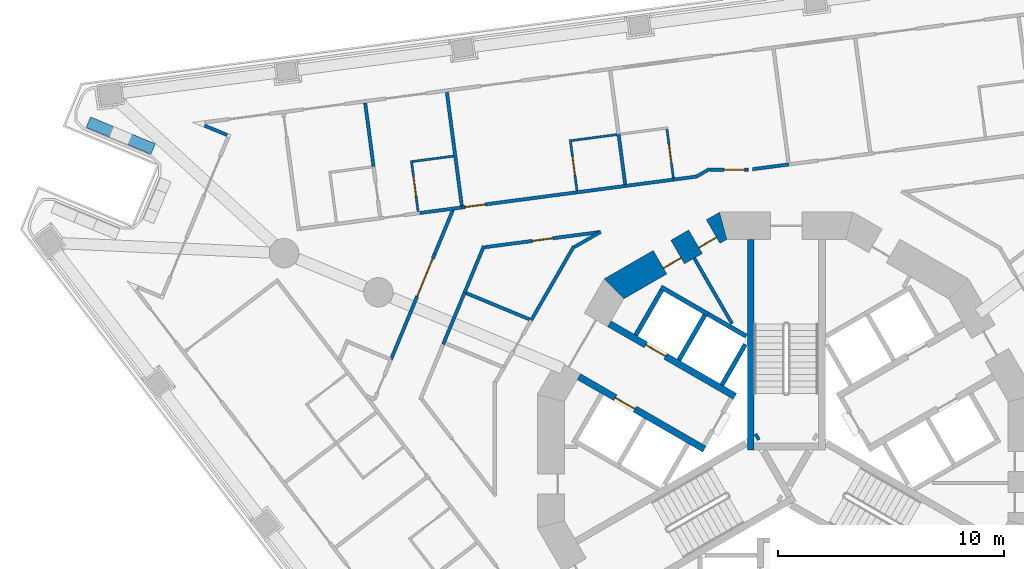
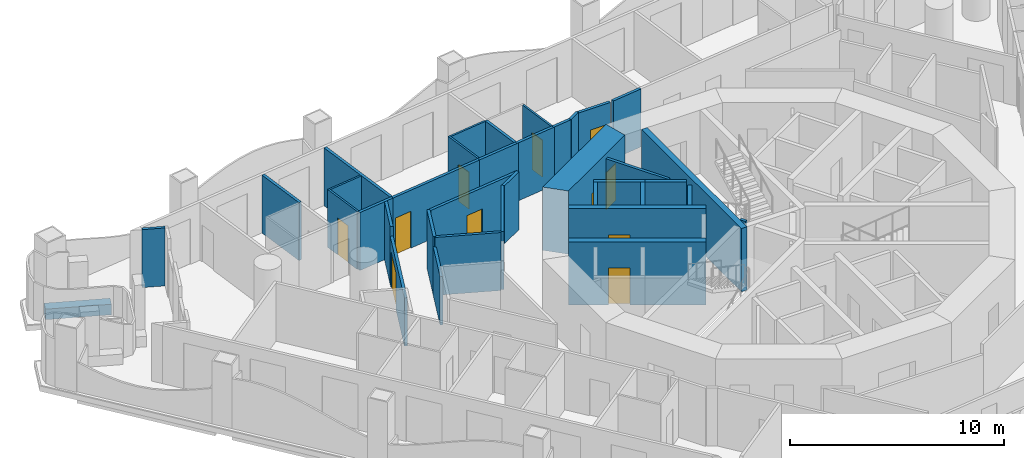
# One storey, part 7 of 19: 37 walls, 11 doors, 11 openings.
"""IFC4 building model written with IfcOpenShell, lengths in metres."""

from ifc_helpers import new_model, si_unit, direction, frame, frame_2d, origin, place, context, subcontext, project, spatial, polyline, rectangle, outline, extrude, material, layer, layer_set, type_object, element, fill, save


model = new_model("IFC4")

# Units and contexts
model_context = context("Model", 3, precision=1e-05, world=origin(), true_north=direction((0.0, 1.0)))
body_context = subcontext(model_context, "Body", "Model", "MODEL_VIEW")
ifc_project = project(units=[si_unit("LENGTHUNIT", "METRE"), si_unit("AREAUNIT", "SQUARE_METRE"), si_unit("VOLUMEUNIT", "CUBIC_METRE"), si_unit("PLANEANGLEUNIT", "RADIAN"), si_unit("MASSUNIT", "GRAM", prefix="KILO")], contexts=[model_context])

# Site, building, storey
site_placement = place(None, origin())
site = spatial("IfcSite", under=ifc_project, at=site_placement, CompositionType="ELEMENT")
building_placement = place(site_placement, origin())
building = spatial("IfcBuilding", under=site, at=building_placement, Name="Trine Commons Tower", CompositionType="ELEMENT")
storey_placement = place(building_placement, frame((0.0, 0.0, 68.39990234375)))
storey = spatial("IfcBuildingStorey", under=building, at=storey_placement, Name="L16", CompositionType="ELEMENT", Elevation=68.39990234375)

# Walls
ifc_material_1 = material(Name="Plasterboard partition on steel studs", Category="steel")
ifc_layer_1 = layer(ifc_material_1, 0.14990234375)
ifc_layer_set_1 = layer_set([ifc_layer_1], Name="Plasterboard partition on steel studs")
wall_type_1 = type_object("IfcWallType", Name="Core room partition 150 mm, EI 60", PredefinedType="PARTITIONING", material=ifc_layer_set_1)
wall_1_placement = place(storey_placement, frame((75.928955078125, 71.47900390625, 0.0), z_axis=(0.0, 0.0, 1.0), x_axis=(0.499985139611, -0.866033983264, 0.0)))
element("IfcWall", 1, at=wall_1_placement, inside=storey, type_object=wall_type_1, Name="Core room partition L16", PredefinedType="PARTITIONING", context=body_context, shape_type="SweptSolid", body=[
    extrude(rectangle(XDim=3.35205078125, YDim=0.14990234375, at=frame_2d((1.676025390625, 0.0))), origin(), (0.0, 0.0, 1.0), 3.300048828125),
])
ifc_material_2 = material(Name="Aluminium-framed insulated wall panel", Category="aluminium")
ifc_layer_2 = layer(ifc_material_2, 0.14990234375)
ifc_layer_set_2 = layer_set([ifc_layer_2], Name="Aluminium-framed insulated wall panel")
wall_type_2 = type_object("IfcWallType", Name="Glazed frame wall 150, EI 60", PredefinedType="SOLIDWALL", material=ifc_layer_set_2)
wall_2_placement = place(storey_placement, frame((55.376220703125, 76.883056640625, 0.0), z_axis=(0.0, 0.0, 1.0), x_axis=(-0.923901801611, 0.382629665579, 0.0)))
element("IfcWall", 2, at=wall_2_placement, inside=storey, type_object=wall_type_2, Name="Glazed frame wall R3", PredefinedType="SOLIDWALL", context=body_context, shape_type="SweptSolid", body=[
    extrude(outline(polyline([(0.110107421875, 0.074951171875), (0.110107421875, -0.074951171875), (1.19580078125, -0.074951171875), (1.19580078125, 0.074951171875), (0.110107421875, 0.074951171875)])), origin(), (0.0, 0.0, 1.0), 3.300048828125),
])
ifc_material_3 = material(Name="Planter trough, precast concrete C40/50", Category="concrete")
ifc_layer_3 = layer(ifc_material_3, 0.5)
ifc_layer_set_3 = layer_set([ifc_layer_3], Name="Planter trough, precast concrete C40/50")
wall_type_3 = type_object("IfcWallType", Name="Planter trough 500x600", PredefinedType="PARAPET", material=ifc_layer_set_3)
wall_3_placement = place(storey_placement, frame((51.99853515625, 76.306640625, 0.0), z_axis=(0.0, 0.0, 1.0), x_axis=(-0.923883411188, 0.382674068277, 0.0)))
element("IfcWall", 3, at=wall_3_placement, inside=storey, type_object=wall_type_3, Name="Planter 3", PredefinedType="PARAPET", context=body_context, shape_type="SweptSolid", body=[
    extrude(rectangle(XDim=3.099853515625, YDim=0.5, at=frame_2d((1.5498046875, 0.0))), origin(), (0.0, 0.0, 1.0), 0.60009765625),
])

# Wall, openings, doors
ifc_material_4 = material(Name="Concrete C80/95", Category="concrete")
ifc_layer_4 = layer(ifc_material_4, 1.199951171875)
ifc_layer_set_4 = layer_set([ifc_layer_4], Name="Concrete C80/95")
wall_type_4 = type_object("IfcWallType", Name="RC shear wall 1200 mm, C80/95", PredefinedType="SHEAR", material=ifc_layer_set_4)
wall_4_placement = place(storey_placement, frame((77.349609375, 72.991943359375, 0.0), z_axis=(0.0, 0.0, 1.0), x_axis=(-0.866037463336, -0.499979111662, 0.0)))
wall_4 = element("IfcWall", 4, at=wall_4_placement, inside=storey, type_object=wall_type_4, Name="Core wall CWB-05 L16", PredefinedType="SHEAR", context=body_context, shape_type="SweptSolid", body=[
    extrude(outline(polyline([(0.0, -0.60009765625), (5.901123046875, -0.60009765625), (5.57958984375, 0.60009765625), (0.321533203125, 0.60009765625), (0.0, -0.60009765625)])), origin(), (0.0, 0.0, 1.0), 3.60009765625),
])
opening_1_placement = place(wall_4_placement, frame((0.6748046875, 0.0, 0.0)))
opening_1 = element("IfcOpeningElement", 5, at=opening_1_placement, cuts=wall_4, Name="Opening K07.12", PredefinedType="OPENING", context=body_context, shape_type="SweptSolid", body=[
    extrude(rectangle(XDim=0.89990234375, YDim=2.10009765625, at=frame_2d((0.449951171875, 1.050048828125))), frame((0.0, 0.60986328125, 0.0), z_axis=(0.0, -1.0, 0.0), x_axis=(1.0, 0.0, 0.0)), (0.0, 0.0, 1.0), 1.219970703125),
])
opening_2_placement = place(wall_4_placement, frame((2.48681640625, 0.0, 0.0)))
opening_2 = element("IfcOpeningElement", 6, at=opening_2_placement, cuts=wall_4, Name="Opening K07.13", PredefinedType="OPENING", context=body_context, shape_type="SweptSolid", body=[
    extrude(rectangle(XDim=0.89990234375, YDim=2.10009765625, at=frame_2d((0.449951171875, 1.050048828125))), frame((0.0, 0.60986328125, 0.0), z_axis=(0.0, -1.0, 0.0), x_axis=(1.0, 0.0, 0.0)), (0.0, 0.0, 1.0), 1.219970703125),
])
ifc_material_5 = material(Name="Steel door leaf, fire-rated", Category="steel")
door_type_1 = type_object("IfcDoorType", Name="Core room door, single leaf 900 x 2100, FD30S", OperationType="SINGLE_SWING_LEFT", PredefinedType="DOOR", material=ifc_material_5)
door_1_placement = place(opening_1_placement, origin())
door_1 = element("IfcDoor", 7, at=door_1_placement, inside=storey, type_object=door_type_1, Name="Door to Pantry L16", OperationType="SINGLE_SWING_LEFT", OverallHeight=2.10009765625, OverallWidth=0.89990234375, PredefinedType="DOOR", context=body_context, shape_type="SweptSolid", body=[
    extrude(rectangle(XDim=0.89990234375, YDim=2.10009765625, at=frame_2d((0.449951171875, 1.050048828125))), frame((0.0, 0.3251953125, 0.0), z_axis=(0.0, -1.0, 0.0), x_axis=(1.0, 0.0, 0.0)), (0.0, 0.0, 1.0), 0.050048828125),
])
fill(opening_1, door_1)
door_2_placement = place(opening_2_placement, origin())
door_2 = element("IfcDoor", 8, at=door_2_placement, inside=storey, type_object=door_type_1, Name="Door to Comms room L16", OperationType="SINGLE_SWING_LEFT", OverallHeight=2.10009765625, OverallWidth=0.89990234375, PredefinedType="DOOR", context=body_context, shape_type="SweptSolid", body=[
    extrude(rectangle(XDim=0.89990234375, YDim=2.10009765625, at=frame_2d((0.449951171875, 1.050048828125))), frame((0.0, 0.3251953125, 0.0), z_axis=(0.0, -1.0, 0.0), x_axis=(1.0, 0.0, 0.0)), (0.0, 0.0, 1.0), 0.050048828125),
])
fill(opening_2, door_2)

# Wall, opening, door
ifc_layer_5 = layer(ifc_material_4, 0.300048828125)
ifc_layer_set_5 = layer_set([ifc_layer_5], Name="Concrete C80/95")
wall_type_5 = type_object("IfcWallType", Name="RC shear wall 300 mm, C80/95", PredefinedType="SHEAR", material=ifc_layer_set_5)
wall_5_placement = place(storey_placement, frame((76.381103515625, 63.031005859375, 0.0), z_axis=(0.0, 0.0, 1.0), x_axis=(-0.866032150378, 0.499988314375, 0.0)))
wall_5 = element("IfcWall", 9, at=wall_5_placement, inside=storey, type_object=wall_type_5, Name="Core cross wall SWA-01 L16", PredefinedType="SHEAR", context=body_context, shape_type="SweptSolid", body=[
    extrude(rectangle(XDim=6.412353515625, YDim=0.300048828125, at=frame_2d((3.2060546875, 0.0))), origin(), (0.0, 0.0, 1.0), 3.60009765625),
])
opening_3_placement = place(wall_5_placement, frame((3.55029296875, 0.0, 0.0)))
opening_3 = element("IfcOpeningElement", 10, at=opening_3_placement, cuts=wall_5, Name="Opening LD3", PredefinedType="OPENING", context=body_context, shape_type="SweptSolid", body=[
    extrude(rectangle(XDim=1.0, YDim=2.10009765625, at=frame_2d((0.5, 1.050048828125))), frame((0.0, 0.159912109375, 0.0), z_axis=(0.0, -1.0, 0.0), x_axis=(1.0, 0.0, 0.0)), (0.0, 0.0, 1.0), 0.320068359375),
])
ifc_material_6 = material(Name="Stainless steel sliding door leaves", Category="steel")
door_type_2 = type_object("IfcDoorType", Name="Lift landing door, centre-opening sliding 1000 x 2100, FD90", OperationType="DOUBLE_DOOR_SLIDING", PredefinedType="DOOR", material=ifc_material_6)
door_3_placement = place(opening_3_placement, origin())
door_3 = element("IfcDoor", 11, at=door_3_placement, inside=storey, type_object=door_type_2, Name="Lift landing door LR3 L16", OperationType="DOUBLE_DOOR_SLIDING", OverallHeight=2.10009765625, OverallWidth=1.0, PredefinedType="DOOR", context=body_context, shape_type="SweptSolid", body=[
    extrude(rectangle(XDim=1.0, YDim=2.10009765625, at=frame_2d((0.5, 1.050048828125))), frame((0.0, 0.02490234375, 0.0), z_axis=(0.0, -1.0, 0.0), x_axis=(1.0, 0.0, 0.0)), (0.0, 0.0, 1.0), 0.050048828125),
])
fill(opening_3, door_3)

wall_6_placement = place(storey_placement, frame((77.73095703125, 65.368896484375, 0.0), z_axis=(0.0, 0.0, 1.0), x_axis=(-0.866022631842, 0.500004801114, 0.0)))
wall_6 = element("IfcWall", 12, at=wall_6_placement, inside=storey, type_object=wall_type_5, Name="Core cross wall SWA-02 L16", PredefinedType="SHEAR", context=body_context, shape_type="SweptSolid", body=[
    extrude(rectangle(XDim=6.412109375, YDim=0.300048828125, at=frame_2d((3.2060546875, 0.0))), origin(), (0.0, 0.0, 1.0), 3.60009765625),
])
opening_4_placement = place(wall_6_placement, frame((3.55029296875, 0.0, 0.0)))
opening_4 = element("IfcOpeningElement", 13, at=opening_4_placement, cuts=wall_6, Name="Opening LD4", PredefinedType="OPENING", context=body_context, shape_type="SweptSolid", body=[
    extrude(rectangle(XDim=1.0, YDim=2.10009765625, at=frame_2d((0.5, 1.050048828125))), frame((0.0, 0.159912109375, 0.0), z_axis=(0.0, -1.0, 0.0), x_axis=(1.0, 0.0, 0.0)), (0.0, 0.0, 1.0), 0.320068359375),
])
door_4_placement = place(opening_4_placement, origin())
door_4 = element("IfcDoor", 14, at=door_4_placement, inside=storey, type_object=door_type_2, Name="Lift landing door LR4 L16", OperationType="DOUBLE_DOOR_SLIDING", OverallHeight=2.10009765625, OverallWidth=1.0, PredefinedType="DOOR", context=body_context, shape_type="SweptSolid", body=[
    extrude(rectangle(XDim=1.0, YDim=2.10009765625, at=frame_2d((0.5, 1.050048828125))), frame((0.0, 0.02490234375, 0.0), z_axis=(0.0, -1.0, 0.0), x_axis=(1.0, 0.0, 0.0)), (0.0, 0.0, 1.0), 0.050048828125),
])
fill(opening_4, door_4)

# Walls
wall_7_placement = place(storey_placement, frame((78.425048828125, 63.0009765625, 0.0), z_axis=(0.0, 0.0, 1.0), x_axis=(0.0, 1.0, 0.0)))
element("IfcWall", 15, at=wall_7_placement, inside=storey, type_object=wall_type_5, Name="Core cross wall SWA-08 L16", PredefinedType="SHEAR", context=body_context, shape_type="SweptSolid", body=[
    extrude(rectangle(XDim=9.31103515625, YDim=0.300048828125, at=frame_2d((4.655517578125, 0.0))), origin(), (0.0, 0.0, 1.0), 3.60009765625),
])
wall_8_placement = place(storey_placement, frame((78.779052734375, 63.614013671875, 0.0), z_axis=(0.0, 0.0, 1.0), x_axis=(-0.867737973955, -0.497021939713, 0.0)))
element("IfcWall", 16, at=wall_8_placement, inside=storey, type_object=wall_type_5, Name="Core cross wall SWA-09 L16", PredefinedType="SHEAR", context=body_context, shape_type="SweptSolid", body=[
    extrude(rectangle(XDim=0.14892578125, YDim=0.300048828125, at=frame_2d((0.074462890625, 0.0))), origin(), (0.0, 0.0, 1.0), 3.60009765625),
])
ifc_material_7 = material(Name="Fire-rated gypsum shaft wall system")
ifc_layer_6 = layer(ifc_material_7, 0.199951171875)
ifc_layer_set_6 = layer_set([ifc_layer_6], Name="Fire-rated gypsum shaft wall system")
wall_type_6 = type_object("IfcWallType", Name="Shaft wall 200 mm, EI 120", PredefinedType="PARTITIONING", material=ifc_layer_set_6)
wall_9_placement = place(storey_placement, frame((73.344970703125, 68.073974609375, 0.0), z_axis=(0.0, 0.0, 1.0), x_axis=(0.500215680983, 0.865900844496, 0.0)))
element("IfcWall", 17, at=wall_9_placement, inside=storey, type_object=wall_type_6, Name="Shaft wall L16", PredefinedType="PARTITIONING", context=body_context, shape_type="SweptSolid", body=[
    extrude(rectangle(XDim=2.29931640625, YDim=0.199951171875, at=frame_2d((1.149658203125, 0.0))), origin(), (0.0, 0.0, 1.0), 3.300048828125),
])
wall_10_placement = place(storey_placement, frame((75.2509765625, 66.97412109375, 0.0), z_axis=(0.0, 0.0, 1.0), x_axis=(0.500136062276, 0.86594683394, 0.0)))
element("IfcWall", 18, at=wall_10_placement, inside=storey, type_object=wall_type_6, Name="Shaft wall L16", PredefinedType="PARTITIONING", context=body_context, shape_type="SweptSolid", body=[
    extrude(rectangle(XDim=2.299072265625, YDim=0.199951171875, at=frame_2d((1.1494140625, 0.0))), origin(), (0.0, 0.0, 1.0), 3.300048828125),
])
wall_11_placement = place(storey_placement, frame((76.5380859375, 69.001953125, 0.0), z_axis=(0.0, 0.0, 1.0), x_axis=(-0.866202511239, 0.499693115345, 0.0)))
element("IfcWall", 19, at=wall_11_placement, inside=storey, type_object=wall_type_6, Name="Shaft wall L16", PredefinedType="PARTITIONING", context=body_context, shape_type="SweptSolid", body=[
    extrude(rectangle(XDim=2.4013671875, YDim=0.199951171875, at=frame_2d((1.20068359375, 0.0))), origin(), (0.0, 0.0, 1.0), 3.300048828125),
])
wall_12_placement = place(storey_placement, frame((77.156005859375, 65.8740234375, 0.0), z_axis=(0.0, 0.0, 1.0), x_axis=(0.499865770674, 0.866102887253, 0.0)))
element("IfcWall", 20, at=wall_12_placement, inside=storey, type_object=wall_type_6, Name="Shaft wall L16", PredefinedType="PARTITIONING", context=body_context, shape_type="SweptSolid", body=[
    extrude(rectangle(XDim=2.064453125, YDim=0.199951171875, at=frame_2d((1.0322265625, 0.0))), origin(), (0.0, 0.0, 1.0), 3.300048828125),
])
wall_13_placement = place(storey_placement, frame((78.22509765625, 68.028076171875, 0.0), z_axis=(0.0, 0.0, 1.0), x_axis=(-0.866052014814, 0.499953905513, 0.0)))
element("IfcWall", 21, at=wall_13_placement, inside=storey, type_object=wall_type_6, Name="Shaft wall L16", PredefinedType="PARTITIONING", context=body_context, shape_type="SweptSolid", body=[
    extrude(rectangle(XDim=1.947998046875, YDim=0.199951171875, at=frame_2d((0.97412109375, 0.0))), origin(), (0.0, 0.0, 1.0), 3.300048828125),
])
ifc_material_8 = material(Name="Gypsum plasterboard on steel stud", Category="steel")
ifc_layer_7 = layer(ifc_material_8, 0.14990234375)
ifc_layer_set_7 = layer_set([ifc_layer_7], Name="Gypsum plasterboard on steel stud")
wall_type_7 = type_object("IfcWallType", Name="Unit and corridor wall 150 mm, EI 60", PredefinedType="PARTITIONING", material=ifc_layer_set_7)
wall_14_placement = place(storey_placement, frame((61.377197265625, 78.34130859375, 0.0), z_axis=(0.0, 0.0, 1.0), x_axis=(0.130648074846, -0.9914288076, 0.0)))
element("IfcWall", 22, at=wall_14_placement, inside=storey, type_object=wall_type_7, Name="Partition 016", PredefinedType="PARTITIONING", context=body_context, shape_type="SweptSolid", body=[
    extrude(rectangle(XDim=2.838623046875, YDim=0.14990234375, at=frame_2d((1.41943359375, 0.0))), origin(), (0.0, 0.0, 1.0), 3.300048828125),
])

# Wall, opening, door
wall_15_placement = place(storey_placement, frame((62.52197265625, 67.007080078125, 0.0), z_axis=(0.0, 0.0, 1.0), x_axis=(0.382650715136, 0.923893083753, 0.0)))
wall_15 = element("IfcWall", 23, at=wall_15_placement, inside=storey, type_object=wall_type_7, Name="Partition 022", PredefinedType="PARTITIONING", context=body_context, shape_type="SweptSolid", body=[
    extrude(rectangle(XDim=5.04931640625, YDim=0.14990234375, at=frame_2d((2.524658203125, 0.0))), origin(), (0.0, 0.0, 1.0), 2.75),
])
opening_5_placement = place(wall_15_placement, frame((3.014404296875, 0.0, 0.0)))
opening_5 = element("IfcOpeningElement", 24, at=opening_5_placement, cuts=wall_15, Name="Opening D-2B03", PredefinedType="OPENING", context=body_context, shape_type="SweptSolid", body=[
    extrude(rectangle(XDim=1.800048828125, YDim=2.10009765625, at=frame_2d((0.89990234375, 1.050048828125))), frame((0.0, 0.0849609375, 0.0), z_axis=(0.0, -1.0, 0.0), x_axis=(1.0, 0.0, 0.0)), (0.0, 0.0, 1.0), 0.169921875),
])
ifc_material_9 = material(Name="Timber fire door set", Category="wood")
door_type_3 = type_object("IfcDoorType", Name="Cluster entrance door 1800 x 2100, double leaf, FD30S", OperationType="DOUBLE_DOOR_DOUBLE_SWING", PredefinedType="DOOR", material=ifc_material_9)
door_5_placement = place(opening_5_placement, origin())
door_5 = element("IfcDoor", 25, at=door_5_placement, inside=storey, type_object=door_type_3, Name="Door D-2B03", OperationType="DOUBLE_DOOR_DOUBLE_SWING", OverallHeight=2.10009765625, OverallWidth=1.800048828125, PredefinedType="DOOR", context=body_context, shape_type="SweptSolid", body=[
    extrude(rectangle(XDim=1.800048828125, YDim=2.10009765625, at=frame_2d((0.89990234375, 1.050048828125))), frame((0.0, 0.02490234375, 0.0), z_axis=(0.0, -1.0, 0.0), x_axis=(1.0, 0.0, 0.0)), (0.0, 0.0, 1.0), 0.050048828125),
])
fill(opening_5, door_5)

# Walls
wall_16_placement = place(storey_placement, frame((63.722900390625, 73.467041015625, 0.0), z_axis=(0.0, 0.0, 1.0), x_axis=(0.991489487772, 0.130186772134, 0.0)))
element("IfcWall", 26, at=wall_16_placement, inside=storey, type_object=wall_type_7, Name="Partition 027", PredefinedType="PARTITIONING", context=body_context, shape_type="SweptSolid", body=[
    extrude(rectangle(XDim=1.957763671875, YDim=0.14990234375, at=frame_2d((0.97900390625, 0.0))), origin(), (0.0, 0.0, 1.0), 3.300048828125),
])
wall_17_placement = place(storey_placement, frame((64.4541015625, 71.672119140625, 0.0), z_axis=(0.0, 0.0, 1.0), x_axis=(0.382922635391, 0.923780415091, 0.0)))
element("IfcWall", 27, at=wall_17_placement, inside=storey, type_object=wall_type_7, Name="Partition 030", PredefinedType="PARTITIONING", context=body_context, shape_type="SweptSolid", body=[
    extrude(rectangle(XDim=2.08984375, YDim=0.14990234375, at=frame_2d((1.044921875, 0.0))), origin(), (0.0, 0.0, 1.0), 3.300048828125),
])
wall_18_placement = place(storey_placement, frame((64.826416015625, 67.671630859375, 0.0), z_axis=(0.0, 0.0, 1.0), x_axis=(0.382785873713, 0.923837093261, 0.0)))
element("IfcWall", 28, at=wall_18_placement, inside=storey, type_object=wall_type_7, Name="Partition 033", PredefinedType="PARTITIONING", context=body_context, shape_type="SweptSolid", body=[
    extrude(rectangle(XDim=2.483642578125, YDim=0.14990234375, at=frame_2d((1.24169921875, 0.0))), origin(), (0.0, 0.0, 1.0), 2.75),
])
wall_19_placement = place(storey_placement, frame((64.9892578125, 78.8173828125, 0.0), z_axis=(0.0, 0.0, 1.0), x_axis=(0.130499406053, -0.991448387471, 0.0)))
element("IfcWall", 29, at=wall_19_placement, inside=storey, type_object=wall_type_7, Name="Partition 035", PredefinedType="PARTITIONING", context=body_context, shape_type="SweptSolid", body=[
    extrude(rectangle(XDim=5.064208984375, YDim=0.14990234375, at=frame_2d((2.5322265625, 0.0))), origin(), (0.0, 0.0, 1.0), 3.300048828125),
])

# Wall, opening, door
wall_20_placement = place(storey_placement, frame((65.656005859375, 73.720947265625, 0.0), z_axis=(0.0, 0.0, 1.0), x_axis=(0.991434260867, 0.130606685815, 0.0)))
wall_20 = element("IfcWall", 30, at=wall_20_placement, inside=storey, type_object=wall_type_7, Name="Partition 036", PredefinedType="PARTITIONING", context=body_context, shape_type="SweptSolid", body=[
    extrude(rectangle(XDim=5.146240234375, YDim=0.14990234375, at=frame_2d((2.5732421875, 0.0))), origin(), (0.0, 0.0, 1.0), 3.300048828125),
])
opening_6_placement = place(wall_20_placement, frame((0.154052734375, 0.0, 0.0)))
opening_6 = element("IfcOpeningElement", 31, at=opening_6_placement, cuts=wall_20, Name="Opening D-2B09", PredefinedType="OPENING", context=body_context, shape_type="SweptSolid", body=[
    extrude(rectangle(XDim=0.89990234375, YDim=2.10009765625, at=frame_2d((0.449951171875, 1.050048828125))), frame((0.0, 0.0849609375, 0.0), z_axis=(0.0, -1.0, 0.0), x_axis=(1.0, 0.0, 0.0)), (0.0, 0.0, 1.0), 0.169921875),
])
door_type_4 = type_object("IfcDoorType", Name="Bedroom door 900 x 2100, FD30S", OperationType="NOTDEFINED", PredefinedType="DOOR", material=ifc_material_9)
door_6_placement = place(opening_6_placement, origin())
door_6 = element("IfcDoor", 32, at=door_6_placement, inside=storey, type_object=door_type_4, Name="Door D-2B09", OperationType="SINGLE_SWING_LEFT", OverallHeight=2.10009765625, OverallWidth=0.89990234375, PredefinedType="DOOR", context=body_context, shape_type="SweptSolid", body=[
    extrude(rectangle(XDim=0.89990234375, YDim=2.10009765625, at=frame_2d((0.449951171875, 1.050048828125))), frame((0.0, 0.02490234375, 0.0), z_axis=(0.0, -1.0, 0.0), x_axis=(1.0, 0.0, 0.0)), (0.0, 0.0, 1.0), 0.050048828125),
])
fill(opening_6, door_6)

# Walls
wall_21_placement = place(storey_placement, frame((65.77392578125, 69.9580078125, 0.0), z_axis=(0.0, 0.0, 1.0), x_axis=(0.382599241046, 0.923914401203, 0.0)))
element("IfcWall", 33, at=wall_21_placement, inside=storey, type_object=wall_type_7, Name="Partition 037", PredefinedType="PARTITIONING", context=body_context, shape_type="SweptSolid", body=[
    extrude(rectangle(XDim=2.236572265625, YDim=0.14990234375, at=frame_2d((1.1181640625, 0.0))), origin(), (0.0, 0.0, 1.0), 3.300048828125),
])
wall_22_placement = place(storey_placement, frame((65.77490234375, 69.9619140625, 0.0), z_axis=(0.0, 0.0, 1.0), x_axis=(0.923918484918, -0.382589379397, 0.0)))
element("IfcWall", 34, at=wall_22_placement, inside=storey, type_object=wall_type_7, Name="Partition 038", PredefinedType="PARTITIONING", context=body_context, shape_type="SweptSolid", body=[
    extrude(rectangle(XDim=3.115966796875, YDim=0.14990234375, at=frame_2d((1.55810546875, 0.0))), origin(), (0.0, 0.0, 1.0), 3.300048828125),
])

# Wall, opening, door
wall_23_placement = place(storey_placement, frame((66.67529296875, 71.96484375, 0.0), z_axis=(0.0, 0.0, 1.0), x_axis=(0.991459293276, 0.130416524172, 0.0)))
wall_23 = element("IfcWall", 35, at=wall_23_placement, inside=storey, type_object=wall_type_7, Name="Partition 039", PredefinedType="PARTITIONING", context=body_context, shape_type="SweptSolid", body=[
    extrude(rectangle(XDim=5.153564453125, YDim=0.14990234375, at=frame_2d((2.57666015625, 0.0))), origin(), (0.0, 0.0, 1.0), 3.300048828125),
])
opening_7_placement = place(wall_23_placement, frame((2.1259765625, 0.0, 0.0)))
opening_7 = element("IfcOpeningElement", 36, at=opening_7_placement, cuts=wall_23, Name="Opening D-2B35", PredefinedType="OPENING", context=body_context, shape_type="SweptSolid", body=[
    extrude(rectangle(XDim=0.89990234375, YDim=2.10009765625, at=frame_2d((0.449951171875, 1.050048828125))), frame((0.0, 0.0849609375, 0.0), z_axis=(0.0, -1.0, 0.0), x_axis=(1.0, 0.0, 0.0)), (0.0, 0.0, 1.0), 0.169921875),
])
door_type_5 = type_object("IfcDoorType", Name="Service door 900 x 2100, FD30S", OperationType="NOTDEFINED", PredefinedType="DOOR", material=ifc_material_9)
door_7_placement = place(opening_7_placement, frame((0.89990234375, 0.0, 0.0), z_axis=(0.0, 0.0, 1.0), x_axis=(-1.0, 0.0, 0.0)))
door_7 = element("IfcDoor", 37, at=door_7_placement, inside=storey, type_object=door_type_5, Name="Door D-2B35", OperationType="SINGLE_SWING_RIGHT", OverallHeight=2.10009765625, OverallWidth=0.89990234375, PredefinedType="DOOR", context=body_context, shape_type="SweptSolid", body=[
    extrude(rectangle(XDim=0.89990234375, YDim=2.10009765625, at=frame_2d((0.449951171875, 1.050048828125))), frame((0.0, 0.02490234375, 0.0), z_axis=(0.0, -1.0, 0.0), x_axis=(1.0, 0.0, 0.0)), (0.0, 0.0, 1.0), 0.050048828125),
])
fill(opening_7, door_7)

# Walls
wall_24_placement = place(storey_placement, frame((68.720947265625, 68.737060546875, 0.0), z_axis=(0.0, 0.0, 1.0), x_axis=(0.499855260579, 0.866108953002, 0.0)))
element("IfcWall", 38, at=wall_24_placement, inside=storey, type_object=wall_type_7, Name="Partition 046", PredefinedType="PARTITIONING", context=body_context, shape_type="SweptSolid", body=[
    extrude(rectangle(XDim=3.76611328125, YDim=0.14990234375, at=frame_2d((1.883056640625, 0.0))), origin(), (0.0, 0.0, 1.0), 3.300048828125),
])
wall_25_placement = place(storey_placement, frame((70.630859375, 71.971435546875, 0.0), z_axis=(0.0, 0.0, 1.0), x_axis=(0.865822790046, 0.500350773195, 0.0)))
element("IfcWall", 39, at=wall_25_placement, inside=storey, type_object=wall_type_7, Name="Partition 053", PredefinedType="PARTITIONING", context=body_context, shape_type="SweptSolid", body=[
    extrude(rectangle(XDim=1.333984375, YDim=0.14990234375, at=frame_2d((0.6669921875, 0.0))), origin(), (0.0, 0.0, 1.0), 3.300048828125),
])
wall_26_placement = place(storey_placement, frame((70.700439453125, 74.385498046875, 0.0), z_axis=(0.0, 0.0, 1.0), x_axis=(0.991421134071, 0.13070629257, 0.0)))
element("IfcWall", 40, at=wall_26_placement, inside=storey, type_object=wall_type_7, Name="Partition 054", PredefinedType="PARTITIONING", context=body_context, shape_type="SweptSolid", body=[
    extrude(rectangle(XDim=2.282470703125, YDim=0.14990234375, at=frame_2d((1.14111328125, 0.0))), origin(), (0.0, 0.0, 1.0), 3.300048828125),
])
wall_27_placement = place(storey_placement, frame((72.5849609375, 76.9541015625, 0.0), z_axis=(0.0, 0.0, 1.0), x_axis=(0.130417626648, -0.991459148255, 0.0)))
element("IfcWall", 41, at=wall_27_placement, inside=storey, type_object=wall_type_7, Name="Partition 057", PredefinedType="PARTITIONING", context=body_context, shape_type="SweptSolid", body=[
    extrude(rectangle(XDim=2.225830078125, YDim=0.14990234375, at=frame_2d((1.11279296875, 0.0))), origin(), (0.0, 0.0, 1.0), 3.300048828125),
])
wall_28_placement = place(storey_placement, frame((72.881103515625, 74.673095703125, 0.0), z_axis=(0.0, 0.0, 1.0), x_axis=(0.991439990687, 0.13056318343, 0.0)))
element("IfcWall", 42, at=wall_28_placement, inside=storey, type_object=wall_type_7, Name="Partition 059", PredefinedType="PARTITIONING", context=body_context, shape_type="SweptSolid", body=[
    extrude(rectangle(XDim=2.208251953125, YDim=0.14990234375, at=frame_2d((1.10400390625, 0.0))), origin(), (0.0, 0.0, 1.0), 3.300048828125),
])
wall_29_placement = place(storey_placement, frame((75.012939453125, 74.9541015625, 0.0), z_axis=(0.0, 0.0, 1.0), x_axis=(0.991497392329, 0.130126557642, 0.0)))
element("IfcWall", 43, at=wall_29_placement, inside=storey, type_object=wall_type_7, Name="Partition 064", PredefinedType="PARTITIONING", context=body_context, shape_type="SweptSolid", body=[
    extrude(rectangle(XDim=1.020751953125, YDim=0.14990234375, at=frame_2d((0.51025390625, 0.0))), origin(), (0.0, 0.0, 1.0), 3.300048828125),
])
wall_30_placement = place(storey_placement, frame((76.01806640625, 75.08203125, 0.0), z_axis=(0.0, 0.0, 1.0), x_axis=(0.866286339247, 0.499547773926, 0.0)))
element("IfcWall", 44, at=wall_30_placement, inside=storey, type_object=wall_type_7, Name="Partition 069", PredefinedType="PARTITIONING", context=body_context, shape_type="SweptSolid", body=[
    extrude(rectangle(XDim=0.685791015625, YDim=0.14990234375, at=frame_2d((0.3427734375, 0.0))), origin(), (0.0, 0.0, 1.0), 3.300048828125),
])

# Wall, opening, door
wall_31_placement = place(storey_placement, frame((76.6220703125, 75.386962890625, 0.0), z_axis=(0.0, 0.0, 1.0), x_axis=(1.0, 0.0, 0.0)))
wall_31 = element("IfcWall", 45, at=wall_31_placement, inside=storey, type_object=wall_type_7, Name="Partition 071", PredefinedType="PARTITIONING", context=body_context, shape_type="SweptSolid", body=[
    extrude(rectangle(XDim=1.7138671875, YDim=0.14990234375, at=frame_2d((0.85693359375, 0.0))), origin(), (0.0, 0.0, 1.0), 3.300048828125),
])
opening_8_placement = place(wall_31_placement, frame((0.631103515625, 0.0, 0.0)))
opening_8 = element("IfcOpeningElement", 46, at=opening_8_placement, cuts=wall_31, Name="Opening D-2B10", PredefinedType="OPENING", context=body_context, shape_type="SweptSolid", body=[
    extrude(rectangle(XDim=0.89990234375, YDim=2.10009765625, at=frame_2d((0.449951171875, 1.050048828125))), frame((0.0, 0.0849609375, 0.0), z_axis=(0.0, -1.0, 0.0), x_axis=(1.0, 0.0, 0.0)), (0.0, 0.0, 1.0), 0.169921875),
])
door_8_placement = place(opening_8_placement, origin())
door_8 = element("IfcDoor", 47, at=door_8_placement, inside=storey, type_object=door_type_4, Name="Door D-2B10", OperationType="SINGLE_SWING_RIGHT", OverallHeight=2.10009765625, OverallWidth=0.89990234375, PredefinedType="DOOR", context=body_context, shape_type="SweptSolid", body=[
    extrude(rectangle(XDim=0.89990234375, YDim=2.10009765625, at=frame_2d((0.449951171875, 1.050048828125))), frame((0.0, 0.02490234375, 0.0), z_axis=(0.0, -1.0, 0.0), x_axis=(1.0, 0.0, 0.0)), (0.0, 0.0, 1.0), 0.050048828125),
])
fill(opening_8, door_8)

# Wall
wall_32_placement = place(storey_placement, frame((78.508056640625, 75.4130859375, 0.0), z_axis=(0.0, 0.0, 1.0), x_axis=(0.991484025307, 0.13022836696, 0.0)))
element("IfcWall", 48, at=wall_32_placement, inside=storey, type_object=wall_type_7, Name="Partition 075", PredefinedType="PARTITIONING", context=body_context, shape_type="SweptSolid", body=[
    extrude(rectangle(XDim=1.61962890625, YDim=0.14990234375, at=frame_2d((0.809814453125, 0.0))), origin(), (0.0, 0.0, 1.0), 3.300048828125),
])

# Wall, opening, door
ifc_layer_8 = layer(ifc_material_8, 0.10009765625)
ifc_layer_set_8 = layer_set([ifc_layer_8], Name="Gypsum plasterboard on steel stud")
wall_type_8 = type_object("IfcWallType", Name="Unit partition 100 mm, no rating", PredefinedType="PARTITIONING", material=ifc_layer_set_8)
wall_33_placement = place(storey_placement, frame((63.42041015625, 75.797607421875, 0.0), z_axis=(0.0, 0.0, 1.0), x_axis=(0.130518372124, -0.991445890878, 0.0)))
wall_33 = element("IfcWall", 49, at=wall_33_placement, inside=storey, type_object=wall_type_8, Name="Partition 025", PredefinedType="PARTITIONING", context=body_context, shape_type="SweptSolid", body=[
    extrude(rectangle(XDim=2.274658203125, YDim=0.10009765625, at=frame_2d((1.13720703125, 0.0))), origin(), (0.0, 0.0, 1.0), 3.300048828125),
])
opening_9_placement = place(wall_33_placement, frame((0.76220703125, 0.0, 0.0)))
opening_9 = element("IfcOpeningElement", 50, at=opening_9_placement, cuts=wall_33, Name="Opening D-2B39", PredefinedType="OPENING", context=body_context, shape_type="SweptSolid", body=[
    extrude(rectangle(XDim=0.800048828125, YDim=2.10009765625, at=frame_2d((0.39990234375, 1.050048828125))), frame((0.0, 0.06005859375, 0.0), z_axis=(0.0, -1.0, 0.0), x_axis=(1.0, 0.0, 0.0)), (0.0, 0.0, 1.0), 0.1201171875),
])
ifc_material_10 = material(Name="Painted timber", Category="wood")
door_type_6 = type_object("IfcDoorType", Name="Internal door 800 x 2100, NOT RATED", OperationType="NOTDEFINED", PredefinedType="DOOR", material=ifc_material_10)
door_9_placement = place(opening_9_placement, frame((0.800048828125, 0.0, 0.0), z_axis=(0.0, 0.0, 1.0), x_axis=(-1.0, 0.0, 0.0)))
door_9 = element("IfcDoor", 51, at=door_9_placement, inside=storey, type_object=door_type_6, Name="Door D-2B39", OperationType="SINGLE_SWING_LEFT", OverallHeight=2.10009765625, OverallWidth=0.800048828125, PredefinedType="DOOR", context=body_context, shape_type="SweptSolid", body=[
    extrude(rectangle(XDim=0.800048828125, YDim=2.10009765625, at=frame_2d((0.39990234375, 1.050048828125))), frame((0.0, 0.02490234375, 0.0), z_axis=(0.0, -1.0, 0.0), x_axis=(1.0, 0.0, 0.0)), (0.0, 0.0, 1.0), 0.050048828125),
])
fill(opening_9, door_9)

# Wall
wall_34_placement = place(storey_placement, frame((63.4765625, 75.75439453125, 0.0), z_axis=(0.0, 0.0, 1.0), x_axis=(0.991471592706, 0.13032298668, 0.0)))
element("IfcWall", 52, at=wall_34_placement, inside=storey, type_object=wall_type_8, Name="Partition 026", PredefinedType="PARTITIONING", context=body_context, shape_type="SweptSolid", body=[
    extrude(rectangle(XDim=1.82470703125, YDim=0.10009765625, at=frame_2d((0.912353515625, 0.0))), origin(), (0.0, 0.0, 1.0), 3.300048828125),
])

# Wall, opening, door
wall_35_placement = place(storey_placement, frame((70.446533203125, 76.72265625, 0.0), z_axis=(0.0, 0.0, 1.0), x_axis=(0.130820949101, -0.991406011317, 0.0)))
wall_35 = element("IfcWall", 53, at=wall_35_placement, inside=storey, type_object=wall_type_8, Name="Partition 050", PredefinedType="PARTITIONING", context=body_context, shape_type="SweptSolid", body=[
    extrude(rectangle(XDim=2.27490234375, YDim=0.10009765625, at=frame_2d((1.137451171875, 0.0))), origin(), (0.0, 0.0, 1.0), 3.300048828125),
])
opening_10_placement = place(wall_35_placement, frame((0.762451171875, 0.0, 0.0)))
opening_10 = element("IfcOpeningElement", 54, at=opening_10_placement, cuts=wall_35, Name="Opening D-2B40", PredefinedType="OPENING", context=body_context, shape_type="SweptSolid", body=[
    extrude(rectangle(XDim=0.800048828125, YDim=2.10009765625, at=frame_2d((0.39990234375, 1.050048828125))), frame((0.0, 0.06005859375, 0.0), z_axis=(0.0, -1.0, 0.0), x_axis=(1.0, 0.0, 0.0)), (0.0, 0.0, 1.0), 0.1201171875),
])
door_10_placement = place(opening_10_placement, frame((0.800048828125, 0.0, 0.0), z_axis=(0.0, 0.0, 1.0), x_axis=(-1.0, 0.0, 0.0)))
door_10 = element("IfcDoor", 55, at=door_10_placement, inside=storey, type_object=door_type_6, Name="Door D-2B40", OperationType="SINGLE_SWING_LEFT", OverallHeight=2.10009765625, OverallWidth=0.800048828125, PredefinedType="DOOR", context=body_context, shape_type="SweptSolid", body=[
    extrude(rectangle(XDim=0.800048828125, YDim=2.10009765625, at=frame_2d((0.39990234375, 1.050048828125))), frame((0.0, 0.02490234375, 0.0), z_axis=(0.0, -1.0, 0.0), x_axis=(1.0, 0.0, 0.0)), (0.0, 0.0, 1.0), 0.050048828125),
])
fill(opening_10, door_10)

# Wall
wall_36_placement = place(storey_placement, frame((70.502685546875, 76.679443359375, 0.0), z_axis=(0.0, 0.0, 1.0), x_axis=(0.991424726931, 0.130679037451, 0.0)))
element("IfcWall", 56, at=wall_36_placement, inside=storey, type_object=wall_type_8, Name="Partition 051", PredefinedType="PARTITIONING", context=body_context, shape_type="SweptSolid", body=[
    extrude(rectangle(XDim=2.025146484375, YDim=0.10009765625, at=frame_2d((1.0126953125, 0.0))), origin(), (0.0, 0.0, 1.0), 3.300048828125),
])

# Wall, opening, door
wall_37_placement = place(storey_placement, frame((74.723388671875, 77.184326171875, 0.0), z_axis=(0.0, 0.0, 1.0), x_axis=(0.130457416757, -0.991453913409, 0.0)))
wall_37 = element("IfcWall", 57, at=wall_37_placement, inside=storey, type_object=wall_type_8, Name="Partition 063", PredefinedType="PARTITIONING", context=body_context, shape_type="SweptSolid", body=[
    extrude(rectangle(XDim=2.174560546875, YDim=0.10009765625, at=frame_2d((1.08740234375, 0.0))), origin(), (0.0, 0.0, 1.0), 3.300048828125),
])
opening_11_placement = place(wall_37_placement, frame((0.687255859375, 0.0, 0.0)))
opening_11 = element("IfcOpeningElement", 58, at=opening_11_placement, cuts=wall_37, Name="Opening D-2B41", PredefinedType="OPENING", context=body_context, shape_type="SweptSolid", body=[
    extrude(rectangle(XDim=0.800048828125, YDim=2.10009765625, at=frame_2d((0.39990234375, 1.050048828125))), frame((0.0, 0.06005859375, 0.0), z_axis=(0.0, -1.0, 0.0), x_axis=(1.0, 0.0, 0.0)), (0.0, 0.0, 1.0), 0.1201171875),
])
door_11_placement = place(opening_11_placement, origin())
door_11 = element("IfcDoor", 59, at=door_11_placement, inside=storey, type_object=door_type_6, Name="Door D-2B41", OperationType="SINGLE_SWING_LEFT", OverallHeight=2.10009765625, OverallWidth=0.800048828125, PredefinedType="DOOR", context=body_context, shape_type="SweptSolid", body=[
    extrude(rectangle(XDim=0.800048828125, YDim=2.10009765625, at=frame_2d((0.39990234375, 1.050048828125))), frame((0.0, 0.02490234375, 0.0), z_axis=(0.0, -1.0, 0.0), x_axis=(1.0, 0.0, 0.0)), (0.0, 0.0, 1.0), 0.050048828125),
])
fill(opening_11, door_11)

save(model, "model.ifc")
